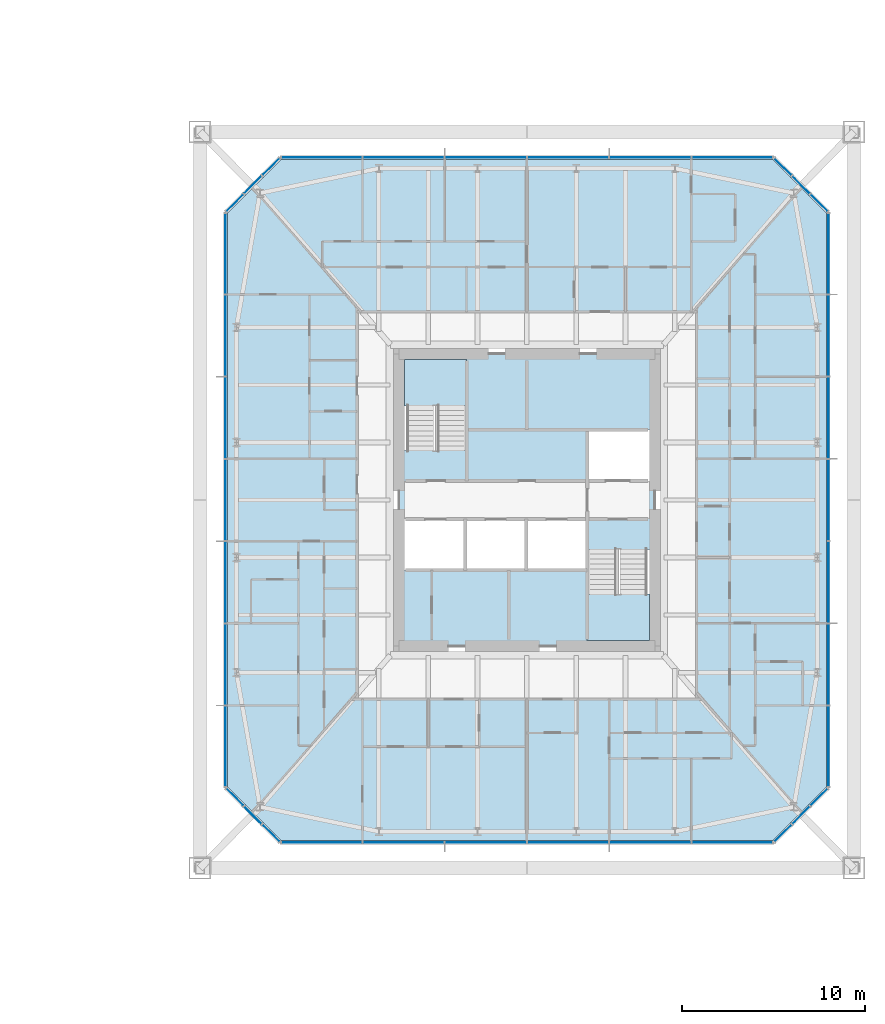
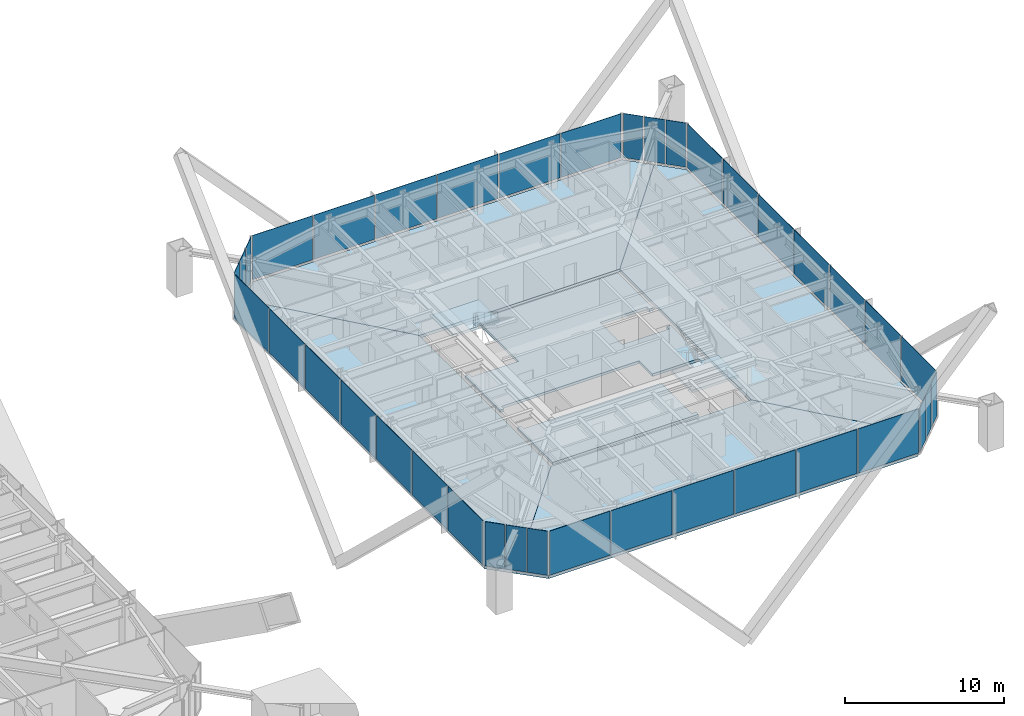
# One storey, part 15 of 28: 38 plates, 8 slabs, 10 elements without a shape of their own.
"""IFC4 building model written with IfcOpenShell, lengths in metres."""

from ifc_helpers import new_model, si_unit, direction, frame, origin, origin_2d, place, context, subcontext, project, spatial, polyline, rectangle, outline, extrude, material, layer, layer_set, constituent, constituent_set, type_object, element, aggregate, save


model = new_model("IFC4")

# Units and contexts
model_context = context("Model", 3, precision=1e-05, world=origin(), true_north=direction((0.0, 1.0)))
body_context = subcontext(model_context, "Body", "Model", "MODEL_VIEW")
ifc_project = project(units=[si_unit("LENGTHUNIT", "METRE"), si_unit("AREAUNIT", "SQUARE_METRE"), si_unit("VOLUMEUNIT", "CUBIC_METRE"), si_unit("PLANEANGLEUNIT", "RADIAN"), si_unit("MASSUNIT", "GRAM", prefix="KILO")], contexts=[model_context])

# Site, building, storey
site_placement = place(None, origin())
site = spatial("IfcSite", under=ifc_project, at=site_placement, CompositionType="ELEMENT")
building_placement = place(site_placement, origin())
building = spatial("IfcBuilding", under=site, at=building_placement, Name="Iwan Alto Co-Living Towers", CompositionType="ELEMENT")
storey_placement = place(building_placement, frame((0.0, 0.0, 64.0)))
storey = spatial("IfcBuildingStorey", under=building, at=storey_placement, Name="L17", CompositionType="ELEMENT", Elevation=64.0)

# Slabs
ifc_material_1 = material(Name="Concrete f'c 30 MPa", Category="concrete")
ifc_layer_1 = layer(ifc_material_1, 0.199951171875)
ifc_layer_set_1 = layer_set([ifc_layer_1], Name="CORE FLOOR SLAB 200")
slab_type_1 = type_object("IfcSlabType", Name="CORE FLOOR SLAB 200", PredefinedType="FLOOR", material=ifc_layer_set_1)
slab_1_placement = place(storey_placement, frame((0.0, 0.0, -0.199951171875)))
element("IfcSlab", 1, at=slab_1_placement, inside=storey, type_object=slab_type_1, Name="T2 core floor L17", PredefinedType="FLOOR", context=body_context, shape_type="SweptSolid", body=[
    extrude(outline(polyline([(70.0, -3.030029296875), (69.699951171875, -3.030029296875), (69.699951171875, -2.719970703125), (66.300048828125, -2.719970703125), (66.300048828125, -1.050048828125), (62.967041015625, -1.050048828125), (59.633056640625, -1.050048828125), (56.300048828125, -1.050048828125), (56.300048828125, -1.360107421875), (56.0, -1.360107421875), (56.0, 3.030029296875), (56.300048828125, 3.030029296875), (56.300048828125, 2.719970703125), (59.699951171875, 2.719970703125), (59.699951171875, 7.699951171875), (59.389892578125, 7.699951171875), (59.389892578125, 8.0), (70.0, 8.0), (70.0, 3.5400390625), (69.699951171875, 3.5400390625), (69.699951171875, 3.85009765625), (66.300048828125, 3.85009765625), (66.300048828125, 1.050048828125), (69.699951171875, 1.050048828125), (69.699951171875, 1.360107421875), (70.0, 1.360107421875), (70.0, -3.030029296875)])), origin(), (0.0, 0.0, 1.0), 0.199951171875),
])
slab_2_placement = place(storey_placement, frame((0.0, 0.0, -0.199951171875)))
element("IfcSlab", 2, at=slab_2_placement, inside=storey, type_object=slab_type_1, Name="T2 core floor L17", PredefinedType="FLOOR", context=body_context, shape_type="SweptSolid", body=[
    extrude(outline(polyline([(62.967041015625, -3.85009765625), (66.300048828125, -3.85009765625), (66.300048828125, -7.699951171875), (66.610107421875, -7.699951171875), (66.610107421875, -8.0), (56.0, -8.0), (56.0, -3.5400390625), (56.300048828125, -3.5400390625), (56.300048828125, -3.85009765625), (59.633056640625, -3.85009765625), (62.967041015625, -3.85009765625)])), origin(), (0.0, 0.0, 1.0), 0.199951171875),
])

# Curtain wall, plates
ifc_material_2 = material(Name="Bronze aluminium unitised frame", Category="aluminium")
curtain_wall_type_1 = type_object("IfcCurtainWallType", Name="CURTAIN WALL CW-C", PredefinedType="NOTDEFINED", material=ifc_material_2)
curtain_wall_1_placement = place(storey_placement, origin())
curtain_wall_1 = element("IfcCurtainWall", 3, at=curtain_wall_1_placement, inside=storey, type_object=curtain_wall_type_1, Name="T2 curtain wall S L17", PredefinedType="NOTDEFINED")
ifc_material_3 = material(Name="Bronze-tinted insulating glass", Category="glass")
ifc_layer_2 = layer(ifc_material_3, 0.031982421875)
ifc_layer_set_2 = layer_set([ifc_layer_2], Name="CW-C PANEL TINTED IGU 32")
plate_type_1 = type_object("IfcPlateType", Name="CW-C PANEL TINTED IGU 32", PredefinedType="CURTAIN_PANEL", material=ifc_layer_set_2)
plate_1_placement = place(storey_placement, frame((60.75, -18.75, 0.10009765625), z_axis=(0.0, 0.0, 1.0), x_axis=(1.0, 0.0, 0.0)))
plate_1 = element("IfcPlate", 4, at=plate_1_placement, type_object=plate_type_1, Name="CW-C panel 3.1", PredefinedType="CURTAIN_PANEL", context=body_context, shape_type="SweptSolid", body=[
    extrude(rectangle(XDim=4.419921875, YDim=0.031982421875, at=origin_2d()), origin(), (0.0, 0.0, 1.0), 3.39990234375),
])
plate_2_placement = place(storey_placement, frame((65.25, -18.75, 0.10009765625), z_axis=(0.0, 0.0, 1.0), x_axis=(1.0, 0.0, 0.0)))
plate_2 = element("IfcPlate", 5, at=plate_2_placement, type_object=plate_type_1, Name="CW-C panel 4.1", PredefinedType="CURTAIN_PANEL", context=body_context, shape_type="SweptSolid", body=[
    extrude(rectangle(XDim=4.419921875, YDim=0.031982421875, at=origin_2d()), origin(), (0.0, 0.0, 1.0), 3.39990234375),
])

curtain_wall_2_placement = place(storey_placement, origin())
curtain_wall_2 = element("IfcCurtainWall", 6, at=curtain_wall_2_placement, inside=storey, type_object=curtain_wall_type_1, Name="T2 curtain wall E L17", PredefinedType="NOTDEFINED")
plate_3_placement = place(storey_placement, frame((79.5, -4.5, 0.10009765625), z_axis=(0.0, 0.0, 1.0), x_axis=(0.0, 1.0, 0.0)))
plate_3 = element("IfcPlate", 7, at=plate_3_placement, type_object=plate_type_1, Name="CW-C panel 3.1", PredefinedType="CURTAIN_PANEL", context=body_context, shape_type="SweptSolid", body=[
    extrude(rectangle(XDim=4.419921875, YDim=0.031982421875, at=origin_2d()), origin(), (0.0, 0.0, 1.0), 3.39990234375),
])
plate_4_placement = place(storey_placement, frame((79.5, 0.0, 0.10009765625), z_axis=(0.0, 0.0, 1.0), x_axis=(0.0, 1.0, 0.0)))
plate_4 = element("IfcPlate", 8, at=plate_4_placement, type_object=plate_type_1, Name="CW-C panel 4.1", PredefinedType="CURTAIN_PANEL", context=body_context, shape_type="SweptSolid", body=[
    extrude(rectangle(XDim=4.419921875, YDim=0.031982421875, at=origin_2d()), origin(), (0.0, 0.0, 1.0), 3.39990234375),
])
plate_5_placement = place(storey_placement, frame((79.5, 4.5, 0.10009765625), z_axis=(0.0, 0.0, 1.0), x_axis=(0.0, 1.0, 0.0)))
plate_5 = element("IfcPlate", 9, at=plate_5_placement, type_object=plate_type_1, Name="CW-C panel 5.1", PredefinedType="CURTAIN_PANEL", context=body_context, shape_type="SweptSolid", body=[
    extrude(rectangle(XDim=4.419921875, YDim=0.031982421875, at=origin_2d()), origin(), (0.0, 0.0, 1.0), 3.39990234375),
])

curtain_wall_3_placement = place(storey_placement, origin())
curtain_wall_3 = element("IfcCurtainWall", 10, at=curtain_wall_3_placement, inside=storey, type_object=curtain_wall_type_1, Name="T2 curtain wall N L17", PredefinedType="NOTDEFINED")
plate_6_placement = place(storey_placement, frame((65.25, 18.75, 0.10009765625), z_axis=(0.0, 0.0, 1.0), x_axis=(-1.0, 0.0, 0.0)))
plate_6 = element("IfcPlate", 11, at=plate_6_placement, type_object=plate_type_1, Name="CW-C panel 3.1", PredefinedType="CURTAIN_PANEL", context=body_context, shape_type="SweptSolid", body=[
    extrude(rectangle(XDim=4.419921875, YDim=0.031982421875, at=origin_2d()), origin(), (0.0, 0.0, 1.0), 3.39990234375),
])
plate_7_placement = place(storey_placement, frame((60.75, 18.75, 0.10009765625), z_axis=(0.0, 0.0, 1.0), x_axis=(-1.0, 0.0, 0.0)))
plate_7 = element("IfcPlate", 12, at=plate_7_placement, type_object=plate_type_1, Name="CW-C panel 4.1", PredefinedType="CURTAIN_PANEL", context=body_context, shape_type="SweptSolid", body=[
    extrude(rectangle(XDim=4.419921875, YDim=0.031982421875, at=origin_2d()), origin(), (0.0, 0.0, 1.0), 3.39990234375),
])

curtain_wall_4_placement = place(storey_placement, origin())
curtain_wall_4 = element("IfcCurtainWall", 13, at=curtain_wall_4_placement, inside=storey, type_object=curtain_wall_type_1, Name="T2 curtain wall W L17", PredefinedType="NOTDEFINED")
plate_8_placement = place(storey_placement, frame((46.5, 4.5, 0.10009765625), z_axis=(0.0, 0.0, 1.0), x_axis=(0.0, -1.0, 0.0)))
plate_8 = element("IfcPlate", 14, at=plate_8_placement, type_object=plate_type_1, Name="CW-C panel 3.1", PredefinedType="CURTAIN_PANEL", context=body_context, shape_type="SweptSolid", body=[
    extrude(rectangle(XDim=4.419921875, YDim=0.031982421875, at=origin_2d()), origin(), (0.0, 0.0, 1.0), 3.39990234375),
])
plate_9_placement = place(storey_placement, frame((46.5, 0.0, 0.10009765625), z_axis=(0.0, 0.0, 1.0), x_axis=(0.0, -1.0, 0.0)))
plate_9 = element("IfcPlate", 15, at=plate_9_placement, type_object=plate_type_1, Name="CW-C panel 4.1", PredefinedType="CURTAIN_PANEL", context=body_context, shape_type="SweptSolid", body=[
    extrude(rectangle(XDim=4.419921875, YDim=0.031982421875, at=origin_2d()), origin(), (0.0, 0.0, 1.0), 3.39990234375),
])
plate_10_placement = place(storey_placement, frame((46.5, -4.5, 0.10009765625), z_axis=(0.0, 0.0, 1.0), x_axis=(0.0, -1.0, 0.0)))
plate_10 = element("IfcPlate", 16, at=plate_10_placement, type_object=plate_type_1, Name="CW-C panel 5.1", PredefinedType="CURTAIN_PANEL", context=body_context, shape_type="SweptSolid", body=[
    extrude(rectangle(XDim=4.419921875, YDim=0.031982421875, at=origin_2d()), origin(), (0.0, 0.0, 1.0), 3.39990234375),
])

# Plate
ifc_material_4 = material(Name="Insulated bronze aluminium spandrel panel", Category="aluminium")
ifc_layer_3 = layer(ifc_material_4, 0.031982421875)
ifc_layer_set_3 = layer_set([ifc_layer_3], Name="CW-C SPANDREL PANEL 32")
plate_type_2 = type_object("IfcPlateType", Name="CW-C SPANDREL PANEL 32", PredefinedType="CURTAIN_PANEL", material=ifc_layer_set_3)
plate_11_placement = place(storey_placement, frame((51.77001953125, -18.75, 0.10009765625), z_axis=(0.0, 0.0, 1.0), x_axis=(1.0, 0.0, 0.0)))
plate_11 = element("IfcPlate", 17, at=plate_11_placement, type_object=plate_type_2, Name="CW-C spandrel panel 1.1 (braced bay)", PredefinedType="CURTAIN_PANEL", context=body_context, shape_type="SweptSolid", body=[
    extrude(rectangle(XDim=4.3798828125, YDim=0.031982421875, at=origin_2d()), origin(), (0.0, 0.0, 1.0), 3.39990234375),
])

plate_12_placement = place(storey_placement, frame((56.25, -18.75, 0.10009765625), z_axis=(0.0, 0.0, 1.0), x_axis=(1.0, 0.0, 0.0)))
plate_12 = element("IfcPlate", 18, at=plate_12_placement, type_object=plate_type_2, Name="CW-C spandrel panel 2.1 (braced bay)", PredefinedType="CURTAIN_PANEL", context=body_context, shape_type="SweptSolid", body=[
    extrude(rectangle(XDim=4.419921875, YDim=0.031982421875, at=origin_2d()), origin(), (0.0, 0.0, 1.0), 3.39990234375),
])

plate_13_placement = place(storey_placement, frame((69.75, -18.75, 0.10009765625), z_axis=(0.0, 0.0, 1.0), x_axis=(1.0, 0.0, 0.0)))
plate_13 = element("IfcPlate", 19, at=plate_13_placement, type_object=plate_type_2, Name="CW-C spandrel panel 5.1 (braced bay)", PredefinedType="CURTAIN_PANEL", context=body_context, shape_type="SweptSolid", body=[
    extrude(rectangle(XDim=4.419921875, YDim=0.031982421875, at=origin_2d()), origin(), (0.0, 0.0, 1.0), 3.39990234375),
])

plate_14_placement = place(storey_placement, frame((74.22998046875, -18.75, 0.10009765625), z_axis=(0.0, 0.0, 1.0), x_axis=(1.0, 0.0, 0.0)))
plate_14 = element("IfcPlate", 20, at=plate_14_placement, type_object=plate_type_2, Name="CW-C spandrel panel 6.1 (braced bay)", PredefinedType="CURTAIN_PANEL", context=body_context, shape_type="SweptSolid", body=[
    extrude(rectangle(XDim=4.3798828125, YDim=0.031982421875, at=origin_2d()), origin(), (0.0, 0.0, 1.0), 3.39990234375),
])

aggregate(curtain_wall_1, [plate_1, plate_2, plate_11, plate_12, plate_13, plate_14])

plate_15_placement = place(storey_placement, frame((79.5, -13.47998046875, 0.10009765625), z_axis=(0.0, 0.0, 1.0), x_axis=(0.0, 1.0, 0.0)))
plate_15 = element("IfcPlate", 21, at=plate_15_placement, type_object=plate_type_2, Name="CW-C spandrel panel 1.1 (braced bay)", PredefinedType="CURTAIN_PANEL", context=body_context, shape_type="SweptSolid", body=[
    extrude(rectangle(XDim=4.3798828125, YDim=0.031982421875, at=origin_2d()), origin(), (0.0, 0.0, 1.0), 3.39990234375),
])

plate_16_placement = place(storey_placement, frame((79.5, -9.0, 0.10009765625), z_axis=(0.0, 0.0, 1.0), x_axis=(0.0, 1.0, 0.0)))
plate_16 = element("IfcPlate", 22, at=plate_16_placement, type_object=plate_type_2, Name="CW-C spandrel panel 2.1 (braced bay)", PredefinedType="CURTAIN_PANEL", context=body_context, shape_type="SweptSolid", body=[
    extrude(rectangle(XDim=4.419921875, YDim=0.031982421875, at=origin_2d()), origin(), (0.0, 0.0, 1.0), 3.39990234375),
])

plate_17_placement = place(storey_placement, frame((79.5, 9.0, 0.10009765625), z_axis=(0.0, 0.0, 1.0), x_axis=(0.0, 1.0, 0.0)))
plate_17 = element("IfcPlate", 23, at=plate_17_placement, type_object=plate_type_2, Name="CW-C spandrel panel 6.1 (braced bay)", PredefinedType="CURTAIN_PANEL", context=body_context, shape_type="SweptSolid", body=[
    extrude(rectangle(XDim=4.419921875, YDim=0.031982421875, at=origin_2d()), origin(), (0.0, 0.0, 1.0), 3.39990234375),
])

plate_18_placement = place(storey_placement, frame((79.5, 13.47998046875, 0.10009765625), z_axis=(0.0, 0.0, 1.0), x_axis=(0.0, 1.0, 0.0)))
plate_18 = element("IfcPlate", 24, at=plate_18_placement, type_object=plate_type_2, Name="CW-C spandrel panel 7.1 (braced bay)", PredefinedType="CURTAIN_PANEL", context=body_context, shape_type="SweptSolid", body=[
    extrude(rectangle(XDim=4.3798828125, YDim=0.031982421875, at=origin_2d()), origin(), (0.0, 0.0, 1.0), 3.39990234375),
])

aggregate(curtain_wall_2, [plate_3, plate_4, plate_5, plate_15, plate_16, plate_17, plate_18])

plate_19_placement = place(storey_placement, frame((74.22998046875, 18.75, 0.10009765625), z_axis=(0.0, 0.0, 1.0), x_axis=(-1.0, 0.0, 0.0)))
plate_19 = element("IfcPlate", 25, at=plate_19_placement, type_object=plate_type_2, Name="CW-C spandrel panel 1.1 (braced bay)", PredefinedType="CURTAIN_PANEL", context=body_context, shape_type="SweptSolid", body=[
    extrude(rectangle(XDim=4.3798828125, YDim=0.031982421875, at=origin_2d()), origin(), (0.0, 0.0, 1.0), 3.39990234375),
])

plate_20_placement = place(storey_placement, frame((69.75, 18.75, 0.10009765625), z_axis=(0.0, 0.0, 1.0), x_axis=(-1.0, 0.0, 0.0)))
plate_20 = element("IfcPlate", 26, at=plate_20_placement, type_object=plate_type_2, Name="CW-C spandrel panel 2.1 (braced bay)", PredefinedType="CURTAIN_PANEL", context=body_context, shape_type="SweptSolid", body=[
    extrude(rectangle(XDim=4.419921875, YDim=0.031982421875, at=origin_2d()), origin(), (0.0, 0.0, 1.0), 3.39990234375),
])

plate_21_placement = place(storey_placement, frame((56.25, 18.75, 0.10009765625), z_axis=(0.0, 0.0, 1.0), x_axis=(-1.0, 0.0, 0.0)))
plate_21 = element("IfcPlate", 27, at=plate_21_placement, type_object=plate_type_2, Name="CW-C spandrel panel 5.1 (braced bay)", PredefinedType="CURTAIN_PANEL", context=body_context, shape_type="SweptSolid", body=[
    extrude(rectangle(XDim=4.419921875, YDim=0.031982421875, at=origin_2d()), origin(), (0.0, 0.0, 1.0), 3.39990234375),
])

plate_22_placement = place(storey_placement, frame((51.77001953125, 18.75, 0.10009765625), z_axis=(0.0, 0.0, 1.0), x_axis=(-1.0, 0.0, 0.0)))
plate_22 = element("IfcPlate", 28, at=plate_22_placement, type_object=plate_type_2, Name="CW-C spandrel panel 6.1 (braced bay)", PredefinedType="CURTAIN_PANEL", context=body_context, shape_type="SweptSolid", body=[
    extrude(rectangle(XDim=4.3798828125, YDim=0.031982421875, at=origin_2d()), origin(), (0.0, 0.0, 1.0), 3.39990234375),
])

aggregate(curtain_wall_3, [plate_6, plate_7, plate_19, plate_20, plate_21, plate_22])

plate_23_placement = place(storey_placement, frame((46.5, 13.47998046875, 0.10009765625), z_axis=(0.0, 0.0, 1.0), x_axis=(0.0, -1.0, 0.0)))
plate_23 = element("IfcPlate", 29, at=plate_23_placement, type_object=plate_type_2, Name="CW-C spandrel panel 1.1 (braced bay)", PredefinedType="CURTAIN_PANEL", context=body_context, shape_type="SweptSolid", body=[
    extrude(rectangle(XDim=4.3798828125, YDim=0.031982421875, at=origin_2d()), origin(), (0.0, 0.0, 1.0), 3.39990234375),
])

plate_24_placement = place(storey_placement, frame((46.5, 9.0, 0.10009765625), z_axis=(0.0, 0.0, 1.0), x_axis=(0.0, -1.0, 0.0)))
plate_24 = element("IfcPlate", 30, at=plate_24_placement, type_object=plate_type_2, Name="CW-C spandrel panel 2.1 (braced bay)", PredefinedType="CURTAIN_PANEL", context=body_context, shape_type="SweptSolid", body=[
    extrude(rectangle(XDim=4.419921875, YDim=0.031982421875, at=origin_2d()), origin(), (0.0, 0.0, 1.0), 3.39990234375),
])

plate_25_placement = place(storey_placement, frame((46.5, -9.0, 0.10009765625), z_axis=(0.0, 0.0, 1.0), x_axis=(0.0, -1.0, 0.0)))
plate_25 = element("IfcPlate", 31, at=plate_25_placement, type_object=plate_type_2, Name="CW-C spandrel panel 6.1 (braced bay)", PredefinedType="CURTAIN_PANEL", context=body_context, shape_type="SweptSolid", body=[
    extrude(rectangle(XDim=4.419921875, YDim=0.031982421875, at=origin_2d()), origin(), (0.0, 0.0, 1.0), 3.39990234375),
])

plate_26_placement = place(storey_placement, frame((46.5, -13.47998046875, 0.10009765625), z_axis=(0.0, 0.0, 1.0), x_axis=(0.0, -1.0, 0.0)))
plate_26 = element("IfcPlate", 32, at=plate_26_placement, type_object=plate_type_2, Name="CW-C spandrel panel 7.1 (braced bay)", PredefinedType="CURTAIN_PANEL", context=body_context, shape_type="SweptSolid", body=[
    extrude(rectangle(XDim=4.3798828125, YDim=0.031982421875, at=origin_2d()), origin(), (0.0, 0.0, 1.0), 3.39990234375),
])

aggregate(curtain_wall_4, [plate_8, plate_9, plate_10, plate_23, plate_24, plate_25, plate_26])

# Curtain wall, plates
ifc_material_5 = material(Name="Bronze aluminium unitised frame", Category="aluminium")
curtain_wall_type_2 = type_object("IfcCurtainWallType", Name="CURTAIN WALL CW-D", PredefinedType="NOTDEFINED", material=ifc_material_5)
curtain_wall_5_placement = place(storey_placement, origin())
curtain_wall_5 = element("IfcCurtainWall", 33, at=curtain_wall_5_placement, inside=storey, type_object=curtain_wall_type_2, Name="T2 chamfer curtain wall SE L17", PredefinedType="NOTDEFINED")
ifc_material_6 = material(Name="Bronze-tinted insulating glass", Category="glass")
ifc_layer_4 = layer(ifc_material_6, 0.031982421875)
ifc_layer_set_4 = layer_set([ifc_layer_4], Name="CW-D PANEL TINTED IGU 32")
plate_type_3 = type_object("IfcPlateType", Name="CW-D PANEL TINTED IGU 32", PredefinedType="CURTAIN_PANEL", material=ifc_layer_set_4)
plate_27_placement = place(storey_placement, frame((77.01416015625, -18.23583984375, 0.10009765625), z_axis=(0.0, 0.0, 1.0), x_axis=(0.707106781187, 0.707106781187, 0.0)))
plate_27 = element("IfcPlate", 34, at=plate_27_placement, type_object=plate_type_3, Name="CW-D panel 1.1", PredefinedType="CURTAIN_PANEL", context=body_context, shape_type="SweptSolid", body=[
    extrude(rectangle(XDim=1.294189453125, YDim=0.031982421875, at=origin_2d()), origin(), (0.0, 0.0, 1.0), 3.39990234375),
])
plate_28_placement = place(storey_placement, frame((78.0, -17.25, 0.10009765625), z_axis=(0.0, 0.0, 1.0), x_axis=(0.707106781187, 0.707106781187, 0.0)))
plate_28 = element("IfcPlate", 35, at=plate_28_placement, type_object=plate_type_3, Name="CW-D panel 2.1", PredefinedType="CURTAIN_PANEL", context=body_context, shape_type="SweptSolid", body=[
    extrude(rectangle(XDim=1.334228515625, YDim=0.031982421875, at=origin_2d()), origin(), (0.0, 0.0, 1.0), 3.39990234375),
])
plate_29_placement = place(storey_placement, frame((78.98583984375, -16.26416015625, 0.10009765625), z_axis=(0.0, 0.0, 1.0), x_axis=(0.707106781187, 0.707106781187, 0.0)))
plate_29 = element("IfcPlate", 36, at=plate_29_placement, type_object=plate_type_3, Name="CW-D panel 3.1", PredefinedType="CURTAIN_PANEL", context=body_context, shape_type="SweptSolid", body=[
    extrude(rectangle(XDim=1.294189453125, YDim=0.031982421875, at=origin_2d()), origin(), (0.0, 0.0, 1.0), 3.39990234375),
])
aggregate(curtain_wall_5, [plate_27, plate_28, plate_29])

curtain_wall_6_placement = place(storey_placement, origin())
curtain_wall_6 = element("IfcCurtainWall", 37, at=curtain_wall_6_placement, inside=storey, type_object=curtain_wall_type_2, Name="T2 chamfer curtain wall NE L17", PredefinedType="NOTDEFINED")
plate_30_placement = place(storey_placement, frame((78.98583984375, 16.26416015625, 0.10009765625), z_axis=(0.0, 0.0, 1.0), x_axis=(-0.707106781187, 0.707106781187, 0.0)))
plate_30 = element("IfcPlate", 38, at=plate_30_placement, type_object=plate_type_3, Name="CW-D panel 1.1", PredefinedType="CURTAIN_PANEL", context=body_context, shape_type="SweptSolid", body=[
    extrude(rectangle(XDim=1.294189453125, YDim=0.031982421875, at=origin_2d()), origin(), (0.0, 0.0, 1.0), 3.39990234375),
])
plate_31_placement = place(storey_placement, frame((78.0, 17.25, 0.10009765625), z_axis=(0.0, 0.0, 1.0), x_axis=(-0.707106781187, 0.707106781187, 0.0)))
plate_31 = element("IfcPlate", 39, at=plate_31_placement, type_object=plate_type_3, Name="CW-D panel 2.1", PredefinedType="CURTAIN_PANEL", context=body_context, shape_type="SweptSolid", body=[
    extrude(rectangle(XDim=1.334228515625, YDim=0.031982421875, at=origin_2d()), origin(), (0.0, 0.0, 1.0), 3.39990234375),
])
plate_32_placement = place(storey_placement, frame((77.01416015625, 18.23583984375, 0.10009765625), z_axis=(0.0, 0.0, 1.0), x_axis=(-0.707106781187, 0.707106781187, 0.0)))
plate_32 = element("IfcPlate", 40, at=plate_32_placement, type_object=plate_type_3, Name="CW-D panel 3.1", PredefinedType="CURTAIN_PANEL", context=body_context, shape_type="SweptSolid", body=[
    extrude(rectangle(XDim=1.294189453125, YDim=0.031982421875, at=origin_2d()), origin(), (0.0, 0.0, 1.0), 3.39990234375),
])
aggregate(curtain_wall_6, [plate_30, plate_31, plate_32])

curtain_wall_7_placement = place(storey_placement, origin())
curtain_wall_7 = element("IfcCurtainWall", 41, at=curtain_wall_7_placement, inside=storey, type_object=curtain_wall_type_2, Name="T2 chamfer curtain wall NW L17", PredefinedType="NOTDEFINED")
plate_33_placement = place(storey_placement, frame((48.98583984375, 18.23583984375, 0.10009765625), z_axis=(0.0, 0.0, 1.0), x_axis=(-0.707106781187, -0.707106781187, 0.0)))
plate_33 = element("IfcPlate", 42, at=plate_33_placement, type_object=plate_type_3, Name="CW-D panel 1.1", PredefinedType="CURTAIN_PANEL", context=body_context, shape_type="SweptSolid", body=[
    extrude(rectangle(XDim=1.294189453125, YDim=0.031982421875, at=origin_2d()), origin(), (0.0, 0.0, 1.0), 3.39990234375),
])
plate_34_placement = place(storey_placement, frame((48.0, 17.25, 0.10009765625), z_axis=(0.0, 0.0, 1.0), x_axis=(-0.707106781187, -0.707106781187, 0.0)))
plate_34 = element("IfcPlate", 43, at=plate_34_placement, type_object=plate_type_3, Name="CW-D panel 2.1", PredefinedType="CURTAIN_PANEL", context=body_context, shape_type="SweptSolid", body=[
    extrude(rectangle(XDim=1.334228515625, YDim=0.031982421875, at=origin_2d()), origin(), (0.0, 0.0, 1.0), 3.39990234375),
])
plate_35_placement = place(storey_placement, frame((47.01416015625, 16.26416015625, 0.10009765625), z_axis=(0.0, 0.0, 1.0), x_axis=(-0.707106781187, -0.707106781187, 0.0)))
plate_35 = element("IfcPlate", 44, at=plate_35_placement, type_object=plate_type_3, Name="CW-D panel 3.1", PredefinedType="CURTAIN_PANEL", context=body_context, shape_type="SweptSolid", body=[
    extrude(rectangle(XDim=1.294189453125, YDim=0.031982421875, at=origin_2d()), origin(), (0.0, 0.0, 1.0), 3.39990234375),
])
aggregate(curtain_wall_7, [plate_33, plate_34, plate_35])

curtain_wall_8_placement = place(storey_placement, origin())
curtain_wall_8 = element("IfcCurtainWall", 45, at=curtain_wall_8_placement, inside=storey, type_object=curtain_wall_type_2, Name="T2 chamfer curtain wall SW L17", PredefinedType="NOTDEFINED")
plate_36_placement = place(storey_placement, frame((47.01416015625, -16.26416015625, 0.10009765625), z_axis=(0.0, 0.0, 1.0), x_axis=(0.707106781187, -0.707106781187, 0.0)))
plate_36 = element("IfcPlate", 46, at=plate_36_placement, type_object=plate_type_3, Name="CW-D panel 1.1", PredefinedType="CURTAIN_PANEL", context=body_context, shape_type="SweptSolid", body=[
    extrude(rectangle(XDim=1.294189453125, YDim=0.031982421875, at=origin_2d()), origin(), (0.0, 0.0, 1.0), 3.39990234375),
])
plate_37_placement = place(storey_placement, frame((48.0, -17.25, 0.10009765625), z_axis=(0.0, 0.0, 1.0), x_axis=(0.707106781187, -0.707106781187, 0.0)))
plate_37 = element("IfcPlate", 47, at=plate_37_placement, type_object=plate_type_3, Name="CW-D panel 2.1", PredefinedType="CURTAIN_PANEL", context=body_context, shape_type="SweptSolid", body=[
    extrude(rectangle(XDim=1.334228515625, YDim=0.031982421875, at=origin_2d()), origin(), (0.0, 0.0, 1.0), 3.39990234375),
])
plate_38_placement = place(storey_placement, frame((48.98583984375, -18.23583984375, 0.10009765625), z_axis=(0.0, 0.0, 1.0), x_axis=(0.707106781187, -0.707106781187, 0.0)))
plate_38 = element("IfcPlate", 48, at=plate_38_placement, type_object=plate_type_3, Name="CW-D panel 3.1", PredefinedType="CURTAIN_PANEL", context=body_context, shape_type="SweptSolid", body=[
    extrude(rectangle(XDim=1.294189453125, YDim=0.031982421875, at=origin_2d()), origin(), (0.0, 0.0, 1.0), 3.39990234375),
])
aggregate(curtain_wall_8, [plate_36, plate_37, plate_38])

# Stair, slab
ifc_material_7 = material(Name="Steel ASTM A36", Category="steel")
ifc_constituent_1 = constituent(ifc_material_7, Name="Stringers", Category="LoadBearing")
ifc_material_8 = material(Name="Concrete f'c 30 MPa", Category="concrete")
ifc_constituent_2 = constituent(ifc_material_8, Name="Tread fill", Category="Finish")
ifc_constituent_set = constituent_set(constituents=[ifc_constituent_1, ifc_constituent_2], Name="STAIR 3500 TWO-FLIGHT T2 CORE")
stair_type = type_object("IfcStairType", Name="STAIR 3500 TWO-FLIGHT T2 CORE", PredefinedType="HALF_TURN_STAIR", material=ifc_constituent_set)
stair_1_placement = place(storey_placement, origin())
stair_1 = element("IfcStair", 49, at=stair_1_placement, inside=storey, type_object=stair_type, Name="Stair T2-S1 L17 to L18", PredefinedType="HALF_TURN_STAIR")
ifc_material_9 = material(Name="Concrete f'c 30 MPa", Category="concrete")
ifc_layer_5 = layer(ifc_material_9, 0.199951171875)
ifc_layer_set_5 = layer_set([ifc_layer_5], Name="STAIR LANDING 200")
slab_type_2 = type_object("IfcSlabType", Name="STAIR LANDING 200", PredefinedType="LANDING", material=ifc_layer_set_5)
slab_3_placement = place(storey_placement, frame((0.0, 0.0, 1.550048828125)))
slab_3 = element("IfcSlab", 50, at=slab_3_placement, type_object=slab_type_2, Name="T2-S1 landing 1", PredefinedType="LANDING", context=body_context, shape_type="SweptSolid", body=[
    extrude(outline(polyline([(56.300048828125, 5.139892578125), (56.300048828125, 7.699951171875), (59.699951171875, 7.699951171875), (59.699951171875, 5.139892578125), (56.300048828125, 5.139892578125)])), origin(), (0.0, 0.0, 1.0), 0.199951171875),
])
aggregate(stair_1, [slab_3])

stair_2_placement = place(storey_placement, origin())
stair_2 = element("IfcStair", 51, at=stair_2_placement, inside=storey, type_object=stair_type, Name="Stair T2-S2 L17 to L18", PredefinedType="HALF_TURN_STAIR")
slab_4_placement = place(storey_placement, frame((0.0, 0.0, 1.550048828125)))
slab_4 = element("IfcSlab", 52, at=slab_4_placement, type_object=slab_type_2, Name="T2-S2 landing 1", PredefinedType="LANDING", context=body_context, shape_type="SweptSolid", body=[
    extrude(outline(polyline([(66.300048828125, -5.139892578125), (66.300048828125, -7.699951171875), (69.699951171875, -7.699951171875), (69.699951171875, -5.139892578125), (66.300048828125, -5.139892578125)])), origin(), (0.0, 0.0, 1.0), 0.199951171875),
])
aggregate(stair_2, [slab_4])

# Slabs
ifc_material_10 = material(Name="Concrete f'c 30 MPa", Category="concrete")
ifc_layer_6 = layer(ifc_material_10, 0.22998046875)
ifc_layer_set_6 = layer_set([ifc_layer_6], Name="T2 FLOOR SLAB 230")
slab_type_3 = type_object("IfcSlabType", Name="T2 FLOOR SLAB 230", PredefinedType="FLOOR", material=ifc_layer_set_6)
slab_5_placement = place(storey_placement, frame((0.0, 0.0, -0.22998046875)))
element("IfcSlab", 53, at=slab_5_placement, inside=storey, type_object=slab_type_3, Name="T2 floor slab L17 S pour", PredefinedType="FLOOR", context=body_context, shape_type="SweptSolid", body=[
    extrude(outline(polyline([(76.44140625, -18.64990234375), (49.55859375, -18.64990234375), (48.07568359375, -17.1669921875), (55.699951171875, -8.300048828125), (70.300048828125, -8.300048828125), (77.92431640625, -17.1669921875), (76.44140625, -18.64990234375)])), origin(), (0.0, 0.0, 1.0), 0.22998046875),
])
slab_6_placement = place(storey_placement, frame((0.0, 0.0, -0.22998046875)))
element("IfcSlab", 54, at=slab_6_placement, inside=storey, type_object=slab_type_3, Name="T2 floor slab L17 E pour", PredefinedType="FLOOR", context=body_context, shape_type="SweptSolid", body=[
    extrude(outline(polyline([(79.39990234375, 15.69140625), (79.39990234375, -15.69140625), (77.92431640625, -17.1669921875), (70.300048828125, -8.300048828125), (70.300048828125, 8.300048828125), (77.92431640625, 17.1669921875), (79.39990234375, 15.69140625)])), origin(), (0.0, 0.0, 1.0), 0.22998046875),
])
slab_7_placement = place(storey_placement, frame((0.0, 0.0, -0.22998046875)))
element("IfcSlab", 55, at=slab_7_placement, inside=storey, type_object=slab_type_3, Name="T2 floor slab L17 N pour", PredefinedType="FLOOR", context=body_context, shape_type="SweptSolid", body=[
    extrude(outline(polyline([(49.55859375, 18.64990234375), (76.44140625, 18.64990234375), (77.92431640625, 17.1669921875), (70.300048828125, 8.300048828125), (55.699951171875, 8.300048828125), (48.07568359375, 17.1669921875), (49.55859375, 18.64990234375)])), origin(), (0.0, 0.0, 1.0), 0.22998046875),
])
slab_8_placement = place(storey_placement, frame((0.0, 0.0, -0.22998046875)))
element("IfcSlab", 56, at=slab_8_placement, inside=storey, type_object=slab_type_3, Name="T2 floor slab L17 W pour", PredefinedType="FLOOR", context=body_context, shape_type="SweptSolid", body=[
    extrude(outline(polyline([(46.60009765625, 15.69140625), (48.07568359375, 17.1669921875), (55.699951171875, 8.300048828125), (55.699951171875, -8.300048828125), (48.07568359375, -17.1669921875), (46.60009765625, -15.69140625), (46.60009765625, 15.69140625)])), origin(), (0.0, 0.0, 1.0), 0.22998046875),
])

save(model, "model.ifc")
